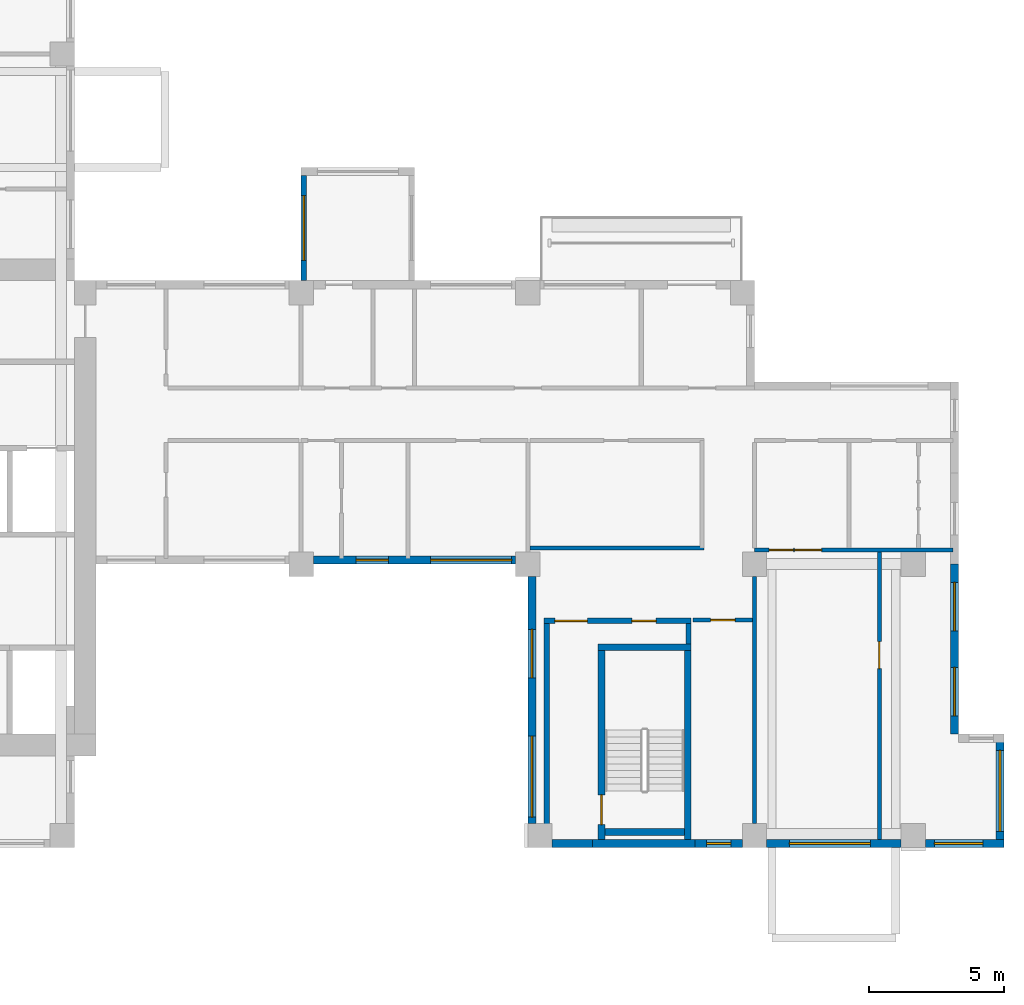
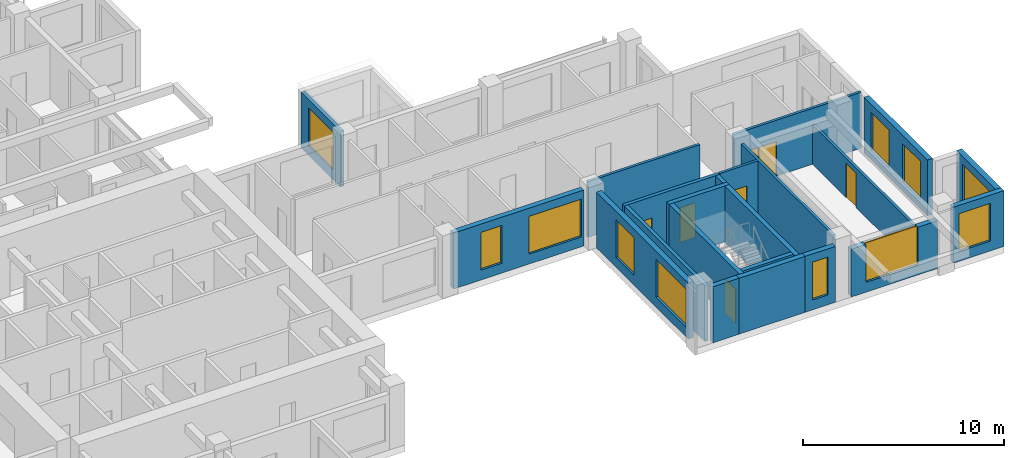
# One storey, part 4 of 11: 22 walls, 11 windows, 7 doors, 18 openings.
"""IFC4 building model written with IfcOpenShell, lengths in metres."""

from ifc_helpers import new_model, si_unit, direction, frame, frame_2d, origin, place, context, subcontext, project, spatial, rectangle, extrude, source, transform, mapped, material, layer, layer_set, type_object, element, fill, save


model = new_model("IFC4")

# Units and contexts
model_context = context("Model", 3, precision=1e-05, world=origin(), true_north=direction((0.0, 1.0)))
body_context = subcontext(model_context, "Body", "Model", "MODEL_VIEW")
ifc_project = project(units=[si_unit("LENGTHUNIT", "METRE"), si_unit("AREAUNIT", "SQUARE_METRE"), si_unit("VOLUMEUNIT", "CUBIC_METRE"), si_unit("PLANEANGLEUNIT", "RADIAN"), si_unit("MASSUNIT", "GRAM", prefix="KILO")], contexts=[model_context])

# Site, building, storey
site_placement = place(None, origin())
site = spatial("IfcSite", under=ifc_project, at=site_placement, CompositionType="ELEMENT")
building_placement = place(site_placement, origin())
building = spatial("IfcBuilding", under=site, at=building_placement, Name="Aurelian Terraces", CompositionType="ELEMENT")
storey_placement = place(building_placement, frame((0.0, 0.0, 208.2)))
storey = spatial("IfcBuildingStorey", under=building, at=storey_placement, Name="L46", CompositionType="ELEMENT", Elevation=208.2)

# Wall, opening, door
ifc_material_1 = material(Name="Gypsum board on steel studs", Category="steel")
ifc_layer_1 = layer(ifc_material_1, 0.15)
ifc_layer_set_1 = layer_set([ifc_layer_1], Name="Partition 150")
wall_type_1 = type_object("IfcWallType", Name="Partition 150", PredefinedType="PARTITIONING", material=ifc_layer_set_1)
wall_1_placement = place(storey_placement, frame((50.82, 0.3, 0.0), z_axis=(0.0, 0.0, 1.0), x_axis=(0.0, 1.0, 0.0)))
wall_1 = element("IfcWall", 1, at=wall_1_placement, inside=storey, type_object=wall_type_1, Name="Partition", PredefinedType="PARTITIONING", context=body_context, shape_type="SweptSolid", body=[
    extrude(rectangle(XDim=10.65, YDim=0.15, at=frame_2d((5.325, 0.0))), origin(), (0.0, 0.0, 1.0), 2.4),
])
shared_shape_1 = source(origin(), body_context, "Body", "SweptSolid", [
    extrude(rectangle(XDim=1.0, YDim=2.1, at=frame_2d((0.5, 1.05))), frame((0.0, 0.085, 0.0), z_axis=(0.0, -1.0, 0.0), x_axis=(1.0, 0.0, 0.0)), (0.0, 0.0, 1.0), 0.17),
])
opening_1_placement = place(wall_1_placement, frame((6.325, 0.0, 0.0)))
opening_1 = element("IfcOpeningElement", 2, at=opening_1_placement, cuts=wall_1, Name="Opening 746010", PredefinedType="OPENING", context=body_context, shape_type="MappedRepresentation", body=[
    mapped(shared_shape_1, transform((0.0, 0.0, 0.0), scale=1.0)),
])
ifc_material_2 = material(Name="Timber door leaf", Category="wood")
door_type_1 = type_object("IfcDoorType", Name="Room door 1000x2100 right", OperationType="SINGLE_SWING_RIGHT", PredefinedType="DOOR", material=ifc_material_2)
shared_shape_2 = source(origin(), body_context, "Body", "SweptSolid", [
    extrude(rectangle(XDim=1.0, YDim=2.1, at=frame_2d((0.5, 1.05))), frame((0.0, 0.025, 0.0), z_axis=(0.0, -1.0, 0.0), x_axis=(1.0, 0.0, 0.0)), (0.0, 0.0, 1.0), 0.05),
])
door_1_placement = place(opening_1_placement, origin())
door_1 = element("IfcDoor", 3, at=door_1_placement, inside=storey, type_object=door_type_1, Name="Door 746010", OperationType="SINGLE_SWING_RIGHT", OverallHeight=2.1, OverallWidth=1.0, PredefinedType="DOOR", context=body_context, shape_type="MappedRepresentation", body=[
    mapped(shared_shape_2, transform((0.0, 0.0, 0.0), scale=1.0)),
])
fill(opening_1, door_1)

# Wall, openings, windows
ifc_material_3 = material(Name="Terracotta rainscreen cladding", Category="masonry")
ifc_layer_2 = layer(ifc_material_3, 0.3)
ifc_layer_set_2 = layer_set([ifc_layer_2], Name="EW-300")
wall_type_2 = type_object("IfcWallType", Name="EW-300", PredefinedType="STANDARD", material=ifc_layer_set_2)
shared_shape_3 = source(origin(), body_context, "Body", "SweptSolid", [
    extrude(rectangle(XDim=7.5, YDim=0.3, at=frame_2d((3.75, 0.0))), origin(), (0.0, 0.0, 1.0), 3.4),
])
wall_2_placement = place(storey_placement, frame((29.85, 10.65, 0.0), z_axis=(0.0, 0.0, 1.0), x_axis=(1.0, 0.0, 0.0)))
wall_2 = element("IfcWall", 4, at=wall_2_placement, inside=storey, type_object=wall_type_2, Name="External wall L46 F03.7", PredefinedType="STANDARD", context=body_context, shape_type="MappedRepresentation", body=[
    mapped(shared_shape_3, transform((0.0, 0.0, 0.0), scale=1.0)),
])
shared_shape_4 = source(origin(), body_context, "Body", "SweptSolid", [
    extrude(rectangle(XDim=1.2, YDim=2.3, at=frame_2d((0.6, 1.15))), frame((0.0, 0.16, 0.0), z_axis=(0.0, -1.0, 0.0), x_axis=(1.0, 0.0, 0.0)), (0.0, 0.0, 1.0), 0.32),
])
opening_2_placement = place(wall_2_placement, frame((1.5825, 0.0, 0.6)))
opening_2 = element("IfcOpeningElement", 5, at=opening_2_placement, cuts=wall_2, Name="Opening W1223", PredefinedType="OPENING", context=body_context, shape_type="MappedRepresentation", body=[
    mapped(shared_shape_4, transform((0.0, 0.0, 0.0), scale=1.0)),
])
shared_shape_5 = source(origin(), body_context, "Body", "SweptSolid", [
    extrude(rectangle(XDim=3.0, YDim=2.3, at=frame_2d((1.5, 1.15))), frame((0.0, 0.16, 0.0), z_axis=(0.0, -1.0, 0.0), x_axis=(1.0, 0.0, 0.0)), (0.0, 0.0, 1.0), 0.32),
])
opening_3_placement = place(wall_2_placement, frame((4.35, 0.0, 0.6)))
opening_3 = element("IfcOpeningElement", 6, at=opening_3_placement, cuts=wall_2, Name="Opening W3023", PredefinedType="OPENING", context=body_context, shape_type="MappedRepresentation", body=[
    mapped(shared_shape_5, transform((0.0, 0.0, 0.0), scale=1.0)),
])
ifc_material_4 = material(Name="Clear glazing", Category="glass")
window_type_1 = type_object("IfcWindowType", Name="W-3000x2300", PartitioningType="SINGLE_PANEL", PredefinedType="WINDOW", material=ifc_material_4)
shared_shape_6 = source(origin(), body_context, "Body", "SweptSolid", [
    extrude(rectangle(XDim=3.0, YDim=2.3, at=frame_2d((1.5, 1.15))), frame((0.0, 0.03, 0.0), z_axis=(0.0, -1.0, 0.0), x_axis=(1.0, 0.0, 0.0)), (0.0, 0.0, 1.0), 0.06),
])
window_1_placement = place(opening_3_placement, origin())
window_1 = element("IfcWindow", 7, at=window_1_placement, inside=storey, type_object=window_type_1, Name="Window L46 L46-F03-07-1", OverallHeight=2.3, OverallWidth=3.0, PartitioningType="SINGLE_PANEL", PredefinedType="WINDOW", context=body_context, shape_type="MappedRepresentation", body=[
    mapped(shared_shape_6, transform((0.0, 0.0, 0.0), scale=1.0)),
])
fill(opening_3, window_1)
window_type_2 = type_object("IfcWindowType", Name="W-1200x2300", PartitioningType="SINGLE_PANEL", PredefinedType="WINDOW", material=ifc_material_4)
shared_shape_7 = source(origin(), body_context, "Body", "SweptSolid", [
    extrude(rectangle(XDim=1.2, YDim=2.3, at=frame_2d((0.6, 1.15))), frame((0.0, 0.03, 0.0), z_axis=(0.0, -1.0, 0.0), x_axis=(1.0, 0.0, 0.0)), (0.0, 0.0, 1.0), 0.06),
])
window_2_placement = place(opening_2_placement, origin())
window_2 = element("IfcWindow", 8, at=window_2_placement, inside=storey, type_object=window_type_2, Name="Window L46 L46-F03-07-0", OverallHeight=2.3, OverallWidth=1.2, PartitioningType="SINGLE_PANEL", PredefinedType="WINDOW", context=body_context, shape_type="MappedRepresentation", body=[
    mapped(shared_shape_7, transform((0.0, 0.0, 0.0), scale=1.0)),
])
fill(opening_2, window_2)

# Wall, opening, window
shared_shape_8 = source(origin(), body_context, "Body", "SweptSolid", [
    extrude(rectangle(XDim=2.91, YDim=0.3, at=frame_2d((1.455, 0.0))), origin(), (0.0, 0.0, 1.0), 3.4),
])
wall_3_placement = place(storey_placement, frame((52.53, 0.15, 0.0), z_axis=(0.0, 0.0, 1.0), x_axis=(1.0, 0.0, 0.0)))
wall_3 = element("IfcWall", 9, at=wall_3_placement, inside=storey, type_object=wall_type_2, Name="External wall L46 F05.11", PredefinedType="STANDARD", context=body_context, shape_type="MappedRepresentation", body=[
    mapped(shared_shape_8, transform((0.0, 0.0, 0.0), scale=1.0)),
])
shared_shape_9 = source(origin(), body_context, "Body", "SweptSolid", [
    extrude(rectangle(XDim=1.8, YDim=2.3, at=frame_2d((0.9, 1.15))), frame((0.0, 0.16, 0.0), z_axis=(0.0, -1.0, 0.0), x_axis=(1.0, 0.0, 0.0)), (0.0, 0.0, 1.0), 0.32),
])
opening_4_placement = place(wall_3_placement, frame((0.33, 0.0, 0.6)))
opening_4 = element("IfcOpeningElement", 10, at=opening_4_placement, cuts=wall_3, Name="Opening W1823", PredefinedType="OPENING", context=body_context, shape_type="MappedRepresentation", body=[
    mapped(shared_shape_9, transform((0.0, 0.0, 0.0), scale=1.0)),
])
window_type_3 = type_object("IfcWindowType", Name="W-1800x2300", PartitioningType="SINGLE_PANEL", PredefinedType="WINDOW", material=ifc_material_4)
shared_shape_10 = source(origin(), body_context, "Body", "SweptSolid", [
    extrude(rectangle(XDim=1.8, YDim=2.3, at=frame_2d((0.9, 1.15))), frame((0.0, 0.03, 0.0), z_axis=(0.0, -1.0, 0.0), x_axis=(1.0, 0.0, 0.0)), (0.0, 0.0, 1.0), 0.06),
])
window_3_placement = place(opening_4_placement, origin())
window_3 = element("IfcWindow", 11, at=window_3_placement, inside=storey, type_object=window_type_3, Name="Window L46 L46-F05-11-0", OverallHeight=2.3, OverallWidth=1.8, PartitioningType="SINGLE_PANEL", PredefinedType="WINDOW", context=body_context, shape_type="MappedRepresentation", body=[
    mapped(shared_shape_10, transform((0.0, 0.0, 0.0), scale=1.0)),
])
fill(opening_4, window_3)

shared_shape_11 = source(origin(), body_context, "Body", "SweptSolid", [
    extrude(rectangle(XDim=4.2, YDim=0.3, at=frame_2d((2.1, 0.0))), origin(), (0.0, 0.0, 1.0), 3.4),
])
wall_4_placement = place(storey_placement, frame((55.29, 0.0, 0.0), z_axis=(0.0, 0.0, 1.0), x_axis=(0.0, 1.0, 0.0)))
wall_4 = element("IfcWall", 12, at=wall_4_placement, inside=storey, type_object=wall_type_2, Name="External wall L46 F06.12", PredefinedType="STANDARD", context=body_context, shape_type="MappedRepresentation", body=[
    mapped(shared_shape_11, transform((0.0, 0.0, 0.0), scale=1.0)),
])
opening_5_placement = place(wall_4_placement, frame((0.6, 0.0, 0.6)))
opening_5 = element("IfcOpeningElement", 13, at=opening_5_placement, cuts=wall_4, Name="Opening W3023", PredefinedType="OPENING", context=body_context, shape_type="MappedRepresentation", body=[
    mapped(shared_shape_5, transform((0.0, 0.0, 0.0), scale=1.0)),
])
window_4_placement = place(opening_5_placement, origin())
window_4 = element("IfcWindow", 14, at=window_4_placement, inside=storey, type_object=window_type_1, Name="Window L46 L46-F06-12-0", OverallHeight=2.3, OverallWidth=3.0, PartitioningType="SINGLE_PANEL", PredefinedType="WINDOW", context=body_context, shape_type="MappedRepresentation", body=[
    mapped(shared_shape_6, transform((0.0, 0.0, 0.0), scale=1.0)),
])
fill(opening_5, window_4)

ifc_material_5 = material(Name="Concrete fc' 40 MPa", Category="concrete")
ifc_layer_3 = layer(ifc_material_5, 0.2)
ifc_layer_set_3 = layer_set([ifc_layer_3], Name="BOX BEARING WALL 200")
wall_type_3 = type_object("IfcWallType", Name="BOX BEARING WALL 200", PredefinedType="SOLIDWALL", material=ifc_layer_set_3)
shared_shape_12 = source(origin(), body_context, "Body", "SweptSolid", [
    extrude(rectangle(XDim=3.9, YDim=0.2, at=frame_2d((1.95, 0.0))), origin(), (0.0, 0.0, 1.0), 3.4),
])
wall_5_placement = place(storey_placement, frame((29.5, 21.0, 0.0), z_axis=(0.0, 0.0, 1.0), x_axis=(0.0, 1.0, 0.0)))
wall_5 = element("IfcWall", 15, at=wall_5_placement, inside=storey, type_object=wall_type_3, Name="Box return L46 J63.2", PredefinedType="SOLIDWALL", context=body_context, shape_type="MappedRepresentation", body=[
    mapped(shared_shape_12, transform((0.0, 0.0, 0.0), scale=1.0)),
])
shared_shape_13 = source(origin(), body_context, "Body", "SweptSolid", [
    extrude(rectangle(XDim=2.4, YDim=2.3, at=frame_2d((1.2, 1.15))), frame((0.0, 0.11, 0.0), z_axis=(0.0, -1.0, 0.0), x_axis=(1.0, 0.0, 0.0)), (0.0, 0.0, 1.0), 0.22),
])
opening_6_placement = place(wall_5_placement, frame((0.75, 0.0, 0.6)))
opening_6 = element("IfcOpeningElement", 16, at=opening_6_placement, cuts=wall_5, Name="Opening W2423", PredefinedType="OPENING", context=body_context, shape_type="MappedRepresentation", body=[
    mapped(shared_shape_13, transform((0.0, 0.0, 0.0), scale=1.0)),
])
window_type_4 = type_object("IfcWindowType", Name="W-2400x2300", PartitioningType="SINGLE_PANEL", PredefinedType="WINDOW", material=ifc_material_4)
shared_shape_14 = source(origin(), body_context, "Body", "SweptSolid", [
    extrude(rectangle(XDim=2.4, YDim=2.3, at=frame_2d((1.2, 1.15))), frame((0.0, 0.03, 0.0), z_axis=(0.0, -1.0, 0.0), x_axis=(1.0, 0.0, 0.0)), (0.0, 0.0, 1.0), 0.06),
])
window_5_placement = place(opening_6_placement, origin())
window_5 = element("IfcWindow", 17, at=window_5_placement, inside=storey, type_object=window_type_4, Name="Window L46 J63-S2", OverallHeight=2.3, OverallWidth=2.4, PartitioningType="SINGLE_PANEL", PredefinedType="WINDOW", context=body_context, shape_type="MappedRepresentation", body=[
    mapped(shared_shape_14, transform((0.0, 0.0, 0.0), scale=1.0)),
])
fill(opening_6, window_5)

# Wall
ifc_layer_4 = layer(ifc_material_5, 0.3)
ifc_layer_set_4 = layer_set([ifc_layer_4], Name="STAIR BAY WALL 300")
wall_type_4 = type_object("IfcWallType", Name="STAIR BAY WALL 300", PredefinedType="SOLIDWALL", material=ifc_layer_set_4)
shared_shape_15 = source(origin(), body_context, "Body", "SweptSolid", [
    extrude(rectangle(XDim=3.8, YDim=0.3, at=frame_2d((1.9, 0.0))), origin(), (0.0, 0.0, 1.0), 3.4),
])
wall_6_placement = place(storey_placement, frame((40.2, 0.15, 0.0), z_axis=(0.0, 0.0, 1.0), x_axis=(1.0, 0.0, 0.0)))
element("IfcWall", 18, at=wall_6_placement, inside=storey, type_object=wall_type_4, Name="Stair bay wall L46 F05.9", PredefinedType="SOLIDWALL", context=body_context, shape_type="MappedRepresentation", body=[
    mapped(shared_shape_15, transform((0.0, 0.0, 0.0), scale=1.0)),
])

# Wall, opening, window
shared_shape_16 = source(origin(), body_context, "Body", "SweptSolid", [
    extrude(rectangle(XDim=1.75, YDim=0.3, at=frame_2d((0.875, 0.0))), origin(), (0.0, 0.0, 1.0), 3.4),
])
wall_7_placement = place(storey_placement, frame((44.0, 0.15, 0.0), z_axis=(0.0, 0.0, 1.0), x_axis=(1.0, 0.0, 0.0)))
wall_7 = element("IfcWall", 19, at=wall_7_placement, inside=storey, type_object=wall_type_2, Name="External wall L46 F05.9", PredefinedType="STANDARD", context=body_context, shape_type="MappedRepresentation", body=[
    mapped(shared_shape_16, transform((0.0, 0.0, 0.0), scale=1.0)),
])
shared_shape_17 = source(origin(), body_context, "Body", "SweptSolid", [
    extrude(rectangle(XDim=0.9, YDim=2.3, at=frame_2d((0.45, 1.15))), frame((0.0, 0.16, 0.0), z_axis=(0.0, -1.0, 0.0), x_axis=(1.0, 0.0, 0.0)), (0.0, 0.0, 1.0), 0.32),
])
opening_7_placement = place(wall_7_placement, frame((0.425, 0.0, 0.6)))
opening_7 = element("IfcOpeningElement", 20, at=opening_7_placement, cuts=wall_7, Name="Opening W0923", PredefinedType="OPENING", context=body_context, shape_type="MappedRepresentation", body=[
    mapped(shared_shape_17, transform((0.0, 0.0, 0.0), scale=1.0)),
])
window_type_5 = type_object("IfcWindowType", Name="W-900x2300", PartitioningType="SINGLE_PANEL", PredefinedType="WINDOW", material=ifc_material_4)
shared_shape_18 = source(origin(), body_context, "Body", "SweptSolid", [
    extrude(rectangle(XDim=0.9, YDim=2.3, at=frame_2d((0.45, 1.15))), frame((0.0, 0.03, 0.0), z_axis=(0.0, -1.0, 0.0), x_axis=(1.0, 0.0, 0.0)), (0.0, 0.0, 1.0), 0.06),
])
window_6_placement = place(opening_7_placement, origin())
window_6 = element("IfcWindow", 21, at=window_6_placement, inside=storey, type_object=window_type_5, Name="Window L46 L46-F05-09-P2", OverallHeight=2.3, OverallWidth=0.9, PartitioningType="SINGLE_PANEL", PredefinedType="WINDOW", context=body_context, shape_type="MappedRepresentation", body=[
    mapped(shared_shape_18, transform((0.0, 0.0, 0.0), scale=1.0)),
])
fill(opening_7, window_6)

# Wall, openings, windows
shared_shape_19 = source(origin(), body_context, "Body", "SweptSolid", [
    extrude(rectangle(XDim=6.3, YDim=0.3, at=frame_2d((3.15, 0.0))), origin(), (0.0, 0.0, 1.0), 3.4),
])
wall_8_placement = place(storey_placement, frame((53.61, 4.2, 0.0), z_axis=(0.0, 0.0, 1.0), x_axis=(0.0, 1.0, 0.0)))
wall_8 = element("IfcWall", 22, at=wall_8_placement, inside=storey, type_object=wall_type_2, Name="External wall L46 F08.14", PredefinedType="STANDARD", context=body_context, shape_type="MappedRepresentation", body=[
    mapped(shared_shape_19, transform((0.0, 0.0, 0.0), scale=1.0)),
])
opening_8_placement = place(wall_8_placement, frame((0.675, 0.0, 0.6)))
opening_8 = element("IfcOpeningElement", 23, at=opening_8_placement, cuts=wall_8, Name="Opening W1823", PredefinedType="OPENING", context=body_context, shape_type="MappedRepresentation", body=[
    mapped(shared_shape_9, transform((0.0, 0.0, 0.0), scale=1.0)),
])
opening_9_placement = place(wall_8_placement, frame((3.825, 0.0, 0.6)))
opening_9 = element("IfcOpeningElement", 24, at=opening_9_placement, cuts=wall_8, Name="Opening W1823", PredefinedType="OPENING", context=body_context, shape_type="MappedRepresentation", body=[
    mapped(shared_shape_9, transform((0.0, 0.0, 0.0), scale=1.0)),
])
window_7_placement = place(opening_8_placement, origin())
window_7 = element("IfcWindow", 25, at=window_7_placement, inside=storey, type_object=window_type_3, Name="Window L46 L46-F08-14-0", OverallHeight=2.3, OverallWidth=1.8, PartitioningType="SINGLE_PANEL", PredefinedType="WINDOW", context=body_context, shape_type="MappedRepresentation", body=[
    mapped(shared_shape_10, transform((0.0, 0.0, 0.0), scale=1.0)),
])
fill(opening_8, window_7)
window_8_placement = place(opening_9_placement, origin())
window_8 = element("IfcWindow", 26, at=window_8_placement, inside=storey, type_object=window_type_3, Name="Window L46 L46-F08-14-1", OverallHeight=2.3, OverallWidth=1.8, PartitioningType="SINGLE_PANEL", PredefinedType="WINDOW", context=body_context, shape_type="MappedRepresentation", body=[
    mapped(shared_shape_10, transform((0.0, 0.0, 0.0), scale=1.0)),
])
fill(opening_9, window_8)

shared_shape_20 = source(origin(), body_context, "Body", "SweptSolid", [
    extrude(rectangle(XDim=9.15, YDim=0.3, at=frame_2d((4.575, 0.0))), origin(), (0.0, 0.0, 1.0), 3.4),
])
wall_9_placement = place(storey_placement, frame((37.95, 10.05, 0.0), z_axis=(0.0, 0.0, 1.0), x_axis=(0.0, -1.0, 0.0)))
wall_9 = element("IfcWall", 27, at=wall_9_placement, inside=storey, type_object=wall_type_2, Name="External wall L46 F04.8", PredefinedType="STANDARD", context=body_context, shape_type="MappedRepresentation", body=[
    mapped(shared_shape_20, transform((0.0, 0.0, 0.0), scale=1.0)),
])
opening_10_placement = place(wall_9_placement, frame((1.9625, 0.0, 0.6)))
opening_10 = element("IfcOpeningElement", 28, at=opening_10_placement, cuts=wall_9, Name="Opening W1823", PredefinedType="OPENING", context=body_context, shape_type="MappedRepresentation", body=[
    mapped(shared_shape_9, transform((0.0, 0.0, 0.0), scale=1.0)),
])
opening_11_placement = place(wall_9_placement, frame((5.925, 0.0, 0.6)))
opening_11 = element("IfcOpeningElement", 29, at=opening_11_placement, cuts=wall_9, Name="Opening W3023", PredefinedType="OPENING", context=body_context, shape_type="MappedRepresentation", body=[
    mapped(shared_shape_5, transform((0.0, 0.0, 0.0), scale=1.0)),
])
window_9_placement = place(opening_11_placement, origin())
window_9 = element("IfcWindow", 30, at=window_9_placement, inside=storey, type_object=window_type_1, Name="Window L46 L46-F04-08-1", OverallHeight=2.3, OverallWidth=3.0, PartitioningType="SINGLE_PANEL", PredefinedType="WINDOW", context=body_context, shape_type="MappedRepresentation", body=[
    mapped(shared_shape_6, transform((0.0, 0.0, 0.0), scale=1.0)),
])
fill(opening_11, window_9)
window_10_placement = place(opening_10_placement, origin())
window_10 = element("IfcWindow", 31, at=window_10_placement, inside=storey, type_object=window_type_3, Name="Window L46 L46-F04-08-0", OverallHeight=2.3, OverallWidth=1.8, PartitioningType="SINGLE_PANEL", PredefinedType="WINDOW", context=body_context, shape_type="MappedRepresentation", body=[
    mapped(shared_shape_10, transform((0.0, 0.0, 0.0), scale=1.0)),
])
fill(opening_10, window_10)

# Wall, opening, window
shared_shape_21 = source(origin(), body_context, "Body", "SweptSolid", [
    extrude(rectangle(XDim=4.98, YDim=0.3, at=frame_2d((2.49, 0.0))), origin(), (0.0, 0.0, 1.0), 2.9),
])
wall_10_placement = place(storey_placement, frame((46.65, 0.15, 0.0), z_axis=(0.0, 0.0, 1.0), x_axis=(1.0, 0.0, 0.0)))
wall_10 = element("IfcWall", 32, at=wall_10_placement, inside=storey, type_object=wall_type_2, Name="External wall L46 F05.10", PredefinedType="STANDARD", context=body_context, shape_type="MappedRepresentation", body=[
    mapped(shared_shape_21, transform((0.0, 0.0, 0.0), scale=1.0)),
])
opening_12_placement = place(wall_10_placement, frame((0.8425, 0.0, 0.6)))
opening_12 = element("IfcOpeningElement", 33, at=opening_12_placement, cuts=wall_10, Name="Opening W3023", PredefinedType="OPENING", context=body_context, shape_type="MappedRepresentation", body=[
    mapped(shared_shape_5, transform((0.0, 0.0, 0.0), scale=1.0)),
])
window_11_placement = place(opening_12_placement, origin())
window_11 = element("IfcWindow", 34, at=window_11_placement, inside=storey, type_object=window_type_1, Name="Window L46 L46-F05-10-0", OverallHeight=2.3, OverallWidth=3.0, PartitioningType="SINGLE_PANEL", PredefinedType="WINDOW", context=body_context, shape_type="MappedRepresentation", body=[
    mapped(shared_shape_6, transform((0.0, 0.0, 0.0), scale=1.0)),
])
fill(opening_12, window_11)

# Wall
shared_shape_22 = source(origin(), body_context, "Body", "SweptSolid", [
    extrude(rectangle(XDim=1.5, YDim=0.3, at=frame_2d((0.75, 0.0))), origin(), (0.0, 0.0, 1.0), 3.4),
])
wall_11_placement = place(storey_placement, frame((38.7, 0.15, 0.0), z_axis=(0.0, 0.0, 1.0), x_axis=(1.0, 0.0, 0.0)))
element("IfcWall", 35, at=wall_11_placement, inside=storey, type_object=wall_type_2, Name="External wall L46 F05.9", PredefinedType="STANDARD", context=body_context, shape_type="MappedRepresentation", body=[
    mapped(shared_shape_22, transform((0.0, 0.0, 0.0), scale=1.0)),
])

# Wall, opening, door
ifc_layer_5 = layer(ifc_material_5, 0.25)
ifc_layer_set_5 = layer_set([ifc_layer_5], Name="Stair enclosure wall 250")
wall_type_5 = type_object("IfcWallType", Name="Stair enclosure wall 250", PredefinedType="SOLIDWALL", material=ifc_layer_set_5)
shared_shape_23 = source(origin(), body_context, "Body", "SweptSolid", [
    extrude(rectangle(XDim=7.0, YDim=0.25, at=frame_2d((3.5, 0.0))), origin(), (0.0, 0.0, 1.0), 3.4),
])
wall_12_placement = place(storey_placement, frame((40.525, 0.3, 0.0), z_axis=(0.0, 0.0, 1.0), x_axis=(0.0, 1.0, 0.0)))
wall_12 = element("IfcWall", 36, at=wall_12_placement, inside=storey, type_object=wall_type_5, Name="L46 core wall ST-S2-W", PredefinedType="SOLIDWALL", context=body_context, shape_type="MappedRepresentation", body=[
    mapped(shared_shape_23, transform((0.0, 0.0, 0.0), scale=1.0)),
])
shared_shape_24 = source(origin(), body_context, "Body", "SweptSolid", [
    extrude(rectangle(XDim=1.1, YDim=2.1, at=frame_2d((0.55, 1.05))), frame((0.0, 0.135, 0.0), z_axis=(0.0, -1.0, 0.0), x_axis=(1.0, 0.0, 0.0)), (0.0, 0.0, 1.0), 0.27),
])
opening_13_placement = place(wall_12_placement, frame((0.55, 0.0, 0.0)))
opening_13 = element("IfcOpeningElement", 37, at=opening_13_placement, cuts=wall_12, Name="Opening 64915", PredefinedType="OPENING", context=body_context, shape_type="MappedRepresentation", body=[
    mapped(shared_shape_24, transform((0.0, 0.0, 0.0), scale=1.0)),
])
ifc_material_6 = material(Name="Steel door leaf", Category="steel")
door_type_2 = type_object("IfcDoorType", Name="Core fire door 1100x2100", OperationType="SINGLE_SWING_LEFT", PredefinedType="DOOR", material=ifc_material_6)
shared_shape_25 = source(origin(), body_context, "Body", "SweptSolid", [
    extrude(rectangle(XDim=1.1, YDim=2.1, at=frame_2d((0.55, 1.05))), frame((0.0, 0.025, 0.0), z_axis=(0.0, -1.0, 0.0), x_axis=(1.0, 0.0, 0.0)), (0.0, 0.0, 1.0), 0.05),
])
door_2_placement = place(opening_13_placement, origin())
door_2 = element("IfcDoor", 38, at=door_2_placement, inside=storey, type_object=door_type_2, Name="Stair door 64915", OperationType="SINGLE_SWING_LEFT", OverallHeight=2.1, OverallWidth=1.1, PredefinedType="DOOR", context=body_context, shape_type="MappedRepresentation", body=[
    mapped(shared_shape_25, transform((0.0, 0.0, 0.0), scale=1.0)),
])
fill(opening_13, door_2)

# Walls
wall_13_placement = place(storey_placement, frame((43.725, 0.3, 0.0), z_axis=(0.0, 0.0, 1.0), x_axis=(0.0, 1.0, 0.0)))
element("IfcWall", 39, at=wall_13_placement, inside=storey, type_object=wall_type_5, Name="L46 core wall ST-S2-E", PredefinedType="SOLIDWALL", context=body_context, shape_type="MappedRepresentation", body=[
    mapped(shared_shape_23, transform((0.0, 0.0, 0.0), scale=1.0)),
])
shared_shape_26 = source(origin(), body_context, "Body", "SweptSolid", [
    extrude(rectangle(XDim=3.45, YDim=0.25, at=frame_2d((1.725, 0.0))), origin(), (0.0, 0.0, 1.0), 3.4),
])
wall_14_placement = place(storey_placement, frame((40.4, 7.425, 0.0), z_axis=(0.0, 0.0, 1.0), x_axis=(1.0, 0.0, 0.0)))
element("IfcWall", 40, at=wall_14_placement, inside=storey, type_object=wall_type_5, Name="L46 core wall ST-S2-N", PredefinedType="SOLIDWALL", context=body_context, shape_type="MappedRepresentation", body=[
    mapped(shared_shape_26, transform((0.0, 0.0, 0.0), scale=1.0)),
])
shared_shape_27 = source(origin(), body_context, "Body", "SweptSolid", [
    extrude(rectangle(XDim=2.95, YDim=0.25, at=frame_2d((1.475, 0.0))), origin(), (0.0, 0.0, 1.0), 3.4),
])
wall_15_placement = place(storey_placement, frame((40.65, 0.575, 0.0), z_axis=(0.0, 0.0, 1.0), x_axis=(1.0, 0.0, 0.0)))
element("IfcWall", 41, at=wall_15_placement, inside=storey, type_object=wall_type_5, Name="L46 core wall ST-S2-SS", PredefinedType="SOLIDWALL", context=body_context, shape_type="MappedRepresentation", body=[
    mapped(shared_shape_27, transform((0.0, 0.0, 0.0), scale=1.0)),
])

# Wall, openings, doors
ifc_layer_6 = layer(ifc_material_1, 0.2)
ifc_layer_set_6 = layer_set([ifc_layer_6], Name="Core partition 200")
wall_type_6 = type_object("IfcWallType", Name="Core partition 200", PredefinedType="PARTITIONING", material=ifc_layer_set_6)
shared_shape_28 = source(origin(), body_context, "Body", "SweptSolid", [
    extrude(rectangle(XDim=5.45, YDim=0.2, at=frame_2d((2.725, 0.0))), origin(), (0.0, 0.0, 1.0), 3.4),
])
wall_16_placement = place(storey_placement, frame((38.4, 8.4, 0.0), z_axis=(0.0, 0.0, 1.0), x_axis=(1.0, 0.0, 0.0)))
wall_16 = element("IfcWall", 42, at=wall_16_placement, inside=storey, type_object=wall_type_6, Name="L46 core wall ST-S2-BN", PredefinedType="PARTITIONING", context=body_context, shape_type="MappedRepresentation", body=[
    mapped(shared_shape_28, transform((0.0, 0.0, 0.0), scale=1.0)),
])
shared_shape_29 = source(origin(), body_context, "Body", "SweptSolid", [
    extrude(rectangle(XDim=1.2, YDim=2.1, at=frame_2d((0.6, 1.05))), frame((0.0, 0.11, 0.0), z_axis=(0.0, -1.0, 0.0), x_axis=(1.0, 0.0, 0.0)), (0.0, 0.0, 1.0), 0.22),
])
opening_14_placement = place(wall_16_placement, frame((0.4, 0.0, 0.0)))
opening_14 = element("IfcOpeningElement", 43, at=opening_14_placement, cuts=wall_16, Name="Opening 64916", PredefinedType="OPENING", context=body_context, shape_type="MappedRepresentation", body=[
    mapped(shared_shape_29, transform((0.0, 0.0, 0.0), scale=1.0)),
])
shared_shape_30 = source(origin(), body_context, "Body", "SweptSolid", [
    extrude(rectangle(XDim=0.9, YDim=2.1, at=frame_2d((0.45, 1.05))), frame((0.0, 0.11, 0.0), z_axis=(0.0, -1.0, 0.0), x_axis=(1.0, 0.0, 0.0)), (0.0, 0.0, 1.0), 0.22),
])
opening_15_placement = place(wall_16_placement, frame((3.25, 0.0, 0.0)))
opening_15 = element("IfcOpeningElement", 44, at=opening_15_placement, cuts=wall_16, Name="Opening 64917", PredefinedType="OPENING", context=body_context, shape_type="MappedRepresentation", body=[
    mapped(shared_shape_30, transform((0.0, 0.0, 0.0), scale=1.0)),
])
door_type_3 = type_object("IfcDoorType", Name="Core riser door 900x2100", OperationType="SINGLE_SWING_LEFT", PredefinedType="DOOR", material=ifc_material_6)
shared_shape_31 = source(origin(), body_context, "Body", "SweptSolid", [
    extrude(rectangle(XDim=0.9, YDim=2.1, at=frame_2d((0.45, 1.05))), frame((0.0, 0.025, 0.0), z_axis=(0.0, -1.0, 0.0), x_axis=(1.0, 0.0, 0.0)), (0.0, 0.0, 1.0), 0.05),
])
door_3_placement = place(opening_15_placement, origin())
door_3 = element("IfcDoor", 45, at=door_3_placement, inside=storey, type_object=door_type_3, Name="Riser door 64917", OperationType="SINGLE_SWING_LEFT", OverallHeight=2.1, OverallWidth=0.9, PredefinedType="DOOR", context=body_context, shape_type="MappedRepresentation", body=[
    mapped(shared_shape_31, transform((0.0, 0.0, 0.0), scale=1.0)),
])
fill(opening_15, door_3)
door_type_4 = type_object("IfcDoorType", Name="Core fire door 1200x2100 right", OperationType="SINGLE_SWING_RIGHT", PredefinedType="DOOR", material=ifc_material_6)
shared_shape_32 = source(origin(), body_context, "Body", "SweptSolid", [
    extrude(rectangle(XDim=1.2, YDim=2.1, at=frame_2d((0.6, 1.05))), frame((0.0, 0.025, 0.0), z_axis=(0.0, -1.0, 0.0), x_axis=(1.0, 0.0, 0.0)), (0.0, 0.0, 1.0), 0.05),
])
door_4_placement = place(opening_14_placement, origin())
door_4 = element("IfcDoor", 46, at=door_4_placement, inside=storey, type_object=door_type_4, Name="Vestibule door 64916", OperationType="SINGLE_SWING_RIGHT", OverallHeight=2.1, OverallWidth=1.2, PredefinedType="DOOR", context=body_context, shape_type="MappedRepresentation", body=[
    mapped(shared_shape_32, transform((0.0, 0.0, 0.0), scale=1.0)),
])
fill(opening_14, door_4)

# Walls
shared_shape_33 = source(origin(), body_context, "Body", "SweptSolid", [
    extrude(rectangle(XDim=0.75, YDim=0.2, at=frame_2d((0.375, 0.0))), origin(), (0.0, 0.0, 1.0), 3.4),
])
wall_17_placement = place(storey_placement, frame((43.75, 7.55, 0.0), z_axis=(0.0, 0.0, 1.0), x_axis=(0.0, 1.0, 0.0)))
element("IfcWall", 47, at=wall_17_placement, inside=storey, type_object=wall_type_6, Name="L46 core wall ST-S2-RE", PredefinedType="PARTITIONING", context=body_context, shape_type="MappedRepresentation", body=[
    mapped(shared_shape_33, transform((0.0, 0.0, 0.0), scale=1.0)),
])
shared_shape_34 = source(origin(), body_context, "Body", "SweptSolid", [
    extrude(rectangle(XDim=8.0, YDim=0.2, at=frame_2d((4.0, 0.0))), origin(), (0.0, 0.0, 1.0), 3.4),
])
wall_18_placement = place(storey_placement, frame((38.5, 0.3, 0.0), z_axis=(0.0, 0.0, 1.0), x_axis=(0.0, 1.0, 0.0)))
element("IfcWall", 48, at=wall_18_placement, inside=storey, type_object=wall_type_6, Name="L46 core wall ST-S2-VW", PredefinedType="PARTITIONING", context=body_context, shape_type="MappedRepresentation", body=[
    mapped(shared_shape_34, transform((0.0, 0.0, 0.0), scale=1.0)),
])
shared_shape_35 = source(origin(), body_context, "Body", "SweptSolid", [
    extrude(rectangle(XDim=6.45, YDim=0.15, at=frame_2d((3.225, 0.0))), origin(), (0.0, 0.0, 1.0), 3.4),
])
wall_19_placement = place(storey_placement, frame((37.875, 11.1, 0.0), z_axis=(0.0, 0.0, 1.0), x_axis=(1.0, 0.0, 0.0)))
element("IfcWall", 49, at=wall_19_placement, inside=storey, type_object=wall_type_1, Name="Partition", PredefinedType="PARTITIONING", context=body_context, shape_type="MappedRepresentation", body=[
    mapped(shared_shape_35, transform((0.0, 0.0, 0.0), scale=1.0)),
])
ifc_layer_7 = layer(ifc_material_1, 0.15)
ifc_layer_set_7 = layer_set([ifc_layer_7], Name="Fire partition 150")
wall_type_7 = type_object("IfcWallType", Name="Fire partition 150", PredefinedType="PARTITIONING", material=ifc_layer_set_7)
shared_shape_36 = source(origin(), body_context, "Body", "SweptSolid", [
    extrude(rectangle(XDim=9.152, YDim=0.15, at=frame_2d((4.576, 0.0))), origin(), (0.0, 0.0, 1.0), 3.4),
])
wall_20_placement = place(storey_placement, frame((46.2, 0.899, 0.0), z_axis=(0.0, 0.0, 1.0), x_axis=(0.0, 1.0, 0.0)))
element("IfcWall", 50, at=wall_20_placement, inside=storey, type_object=wall_type_7, Name="Party wall", PredefinedType="PARTITIONING", context=body_context, shape_type="MappedRepresentation", body=[
    mapped(shared_shape_36, transform((0.0, 0.0, 0.0), scale=1.0)),
])

# Wall, opening, door
shared_shape_37 = source(origin(), body_context, "Body", "SweptSolid", [
    extrude(rectangle(XDim=2.2, YDim=0.15, at=frame_2d((1.1, 0.0))), origin(), (0.0, 0.0, 1.0), 3.4),
])
wall_21_placement = place(storey_placement, frame((46.125, 8.425, 0.0), z_axis=(0.0, 0.0, 1.0), x_axis=(-1.0, 0.0, 0.0)))
wall_21 = element("IfcWall", 51, at=wall_21_placement, inside=storey, type_object=wall_type_1, Name="Partition", PredefinedType="PARTITIONING", context=body_context, shape_type="MappedRepresentation", body=[
    mapped(shared_shape_37, transform((0.0, 0.0, 0.0), scale=1.0)),
])
shared_shape_38 = source(origin(), body_context, "Body", "SweptSolid", [
    extrude(rectangle(XDim=0.9, YDim=2.1, at=frame_2d((0.45, 1.05))), frame((0.0, 0.085, 0.0), z_axis=(0.0, -1.0, 0.0), x_axis=(1.0, 0.0, 0.0)), (0.0, 0.0, 1.0), 0.17),
])
opening_16_placement = place(wall_21_placement, frame((0.65, 0.0, 0.0)))
opening_16 = element("IfcOpeningElement", 52, at=opening_16_placement, cuts=wall_21, Name="Opening 746004", PredefinedType="OPENING", context=body_context, shape_type="MappedRepresentation", body=[
    mapped(shared_shape_38, transform((0.0, 0.0, 0.0), scale=1.0)),
])
door_type_5 = type_object("IfcDoorType", Name="Room door 900x2100 right", OperationType="SINGLE_SWING_RIGHT", PredefinedType="DOOR", material=ifc_material_2)
door_5_placement = place(opening_16_placement, origin())
door_5 = element("IfcDoor", 53, at=door_5_placement, inside=storey, type_object=door_type_5, Name="Door 746004", OperationType="SINGLE_SWING_RIGHT", OverallHeight=2.1, OverallWidth=0.9, PredefinedType="DOOR", context=body_context, shape_type="MappedRepresentation", body=[
    mapped(shared_shape_31, transform((0.0, 0.0, 0.0), scale=1.0)),
])
fill(opening_16, door_5)

# Wall, openings, doors
shared_shape_39 = source(origin(), body_context, "Body", "SweptSolid", [
    extrude(rectangle(XDim=7.355, YDim=0.15, at=frame_2d((3.6775, 0.0))), origin(), (0.0, 0.0, 1.0), 3.4),
])
wall_22_placement = place(storey_placement, frame((53.555, 11.025, 0.0), z_axis=(0.0, 0.0, 1.0), x_axis=(-1.0, 0.0, 0.0)))
wall_22 = element("IfcWall", 54, at=wall_22_placement, inside=storey, type_object=wall_type_1, Name="Partition", PredefinedType="PARTITIONING", context=body_context, shape_type="MappedRepresentation", body=[
    mapped(shared_shape_39, transform((0.0, 0.0, 0.0), scale=1.0)),
])
opening_17_placement = place(wall_22_placement, frame((4.8686, 0.0, 0.0)))
opening_17 = element("IfcOpeningElement", 55, at=opening_17_placement, cuts=wall_22, Name="Opening 746008", PredefinedType="OPENING", context=body_context, shape_type="MappedRepresentation", body=[
    mapped(shared_shape_1, transform((0.0, 0.0, 0.0), scale=1.0)),
])
opening_18_placement = place(wall_22_placement, frame((5.919, 0.0, 0.0)))
opening_18 = element("IfcOpeningElement", 56, at=opening_18_placement, cuts=wall_22, Name="Opening 746009", PredefinedType="OPENING", context=body_context, shape_type="MappedRepresentation", body=[
    mapped(shared_shape_38, transform((0.0, 0.0, 0.0), scale=1.0)),
])
door_6_placement = place(opening_17_placement, origin())
door_6 = element("IfcDoor", 57, at=door_6_placement, inside=storey, type_object=door_type_1, Name="Door 746008", OperationType="SINGLE_SWING_RIGHT", OverallHeight=2.1, OverallWidth=1.0, PredefinedType="DOOR", context=body_context, shape_type="MappedRepresentation", body=[
    mapped(shared_shape_2, transform((0.0, 0.0, 0.0), scale=1.0)),
])
fill(opening_17, door_6)
door_type_6 = type_object("IfcDoorType", Name="Room door 900x2100 left", OperationType="SINGLE_SWING_LEFT", PredefinedType="DOOR", material=ifc_material_2)
door_7_placement = place(opening_18_placement, origin())
door_7 = element("IfcDoor", 58, at=door_7_placement, inside=storey, type_object=door_type_6, Name="Door 746009", OperationType="SINGLE_SWING_LEFT", OverallHeight=2.1, OverallWidth=0.9, PredefinedType="DOOR", context=body_context, shape_type="MappedRepresentation", body=[
    mapped(shared_shape_31, transform((0.0, 0.0, 0.0), scale=1.0)),
])
fill(opening_18, door_7)

save(model, "model.ifc")
